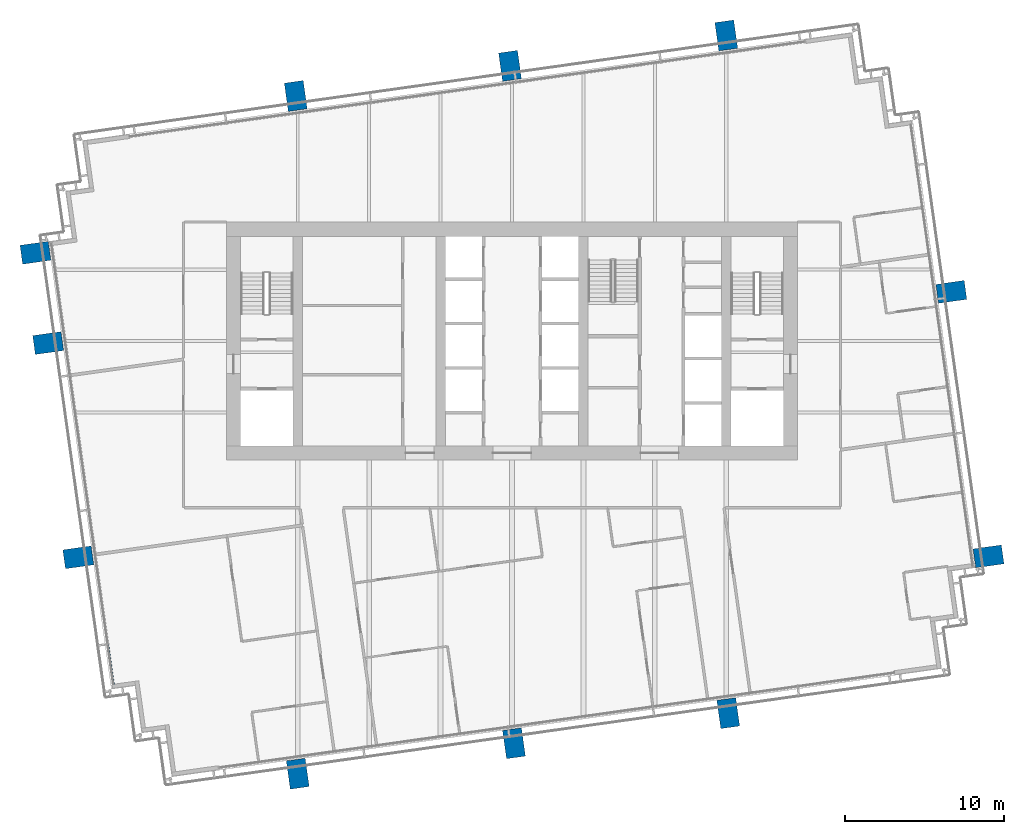
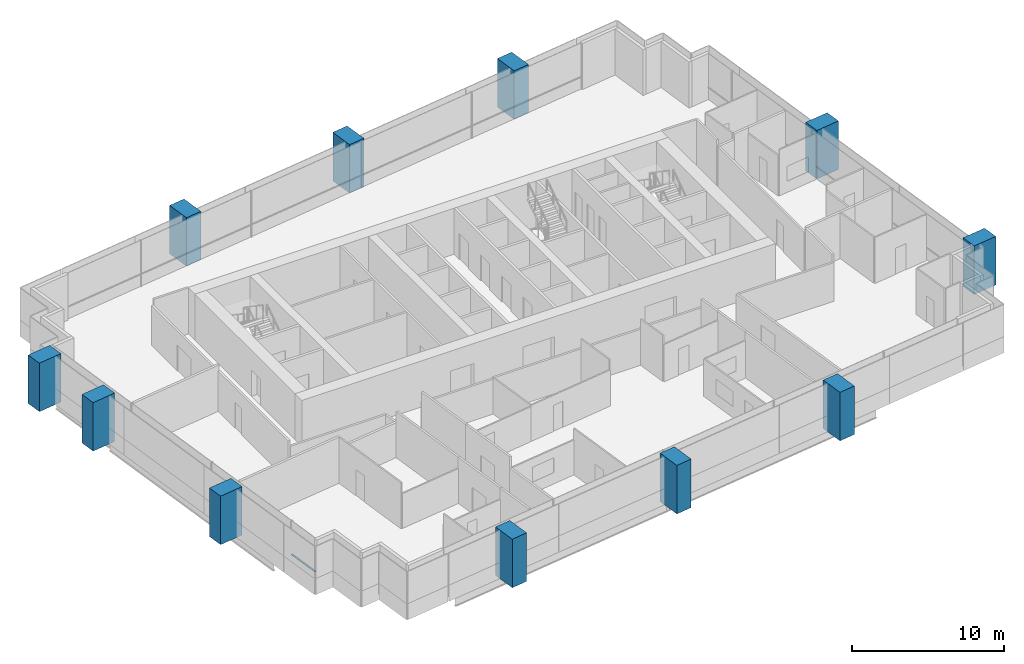
# One storey, part 1 of 18: 11 columns, 1 member, 1 element without a shape of its own.
"""IFC4 building model written with IfcOpenShell, lengths in metres."""

from ifc_helpers import new_model, si_unit, direction, frame, origin, origin_2d, place, context, subcontext, project, spatial, rectangle, extrude, material, material_profile, profile_set, type_object, element, aggregate, save


model = new_model("IFC4")

# Units and contexts
model_context = context("Model", 3, precision=1e-05, world=origin(), true_north=direction((0.0, 1.0)))
body_context = subcontext(model_context, "Body", "Model", "MODEL_VIEW")
ifc_project = project(units=[si_unit("LENGTHUNIT", "METRE"), si_unit("AREAUNIT", "SQUARE_METRE"), si_unit("VOLUMEUNIT", "CUBIC_METRE"), si_unit("PLANEANGLEUNIT", "RADIAN"), si_unit("MASSUNIT", "GRAM", prefix="KILO")], contexts=[model_context])

# Site, building, storey
site_placement = place(None, origin())
site = spatial("IfcSite", under=ifc_project, at=site_placement, CompositionType="ELEMENT")
building_placement = place(site_placement, origin())
building = spatial("IfcBuilding", under=site, at=building_placement, Name="Rattan Terrace Tower", CompositionType="ELEMENT")
storey_placement = place(building_placement, frame((0.0, 0.0, 188.0)))
storey = spatial("IfcBuildingStorey", under=building, at=storey_placement, Name="L43", CompositionType="ELEMENT", Elevation=188.0)

# Columns
ifc_material_1 = material(Name="Concrete C50/60", Category="concrete")
ifc_material_profile_1 = material_profile(ifc_material_1, rectangle(XDim=1.199951171875, YDim=1.800048828125, at=origin_2d()), Name="CFT 1800x1200")
ifc_profile_set_1 = profile_set([ifc_material_profile_1], Name="Concrete C50/60")
column_type = type_object("IfcColumnType", Name="Frame exoskeleton column CFT 1800x1200", PredefinedType="COLUMN", material=ifc_profile_set_1)
for number, where, z_axis, x_axis, name in (
    (1, (-13.5, -27.256103515625, -0.199951171875), (0.0, 0.0, 1.0), (0.99027049762, 0.139155817501, 0.0), "exo-L43-001"),
    (2, (0.125, -25.340087890625, -0.199951171875), (0.0, 0.0, 1.0), (0.99027049762, 0.139155817501, 0.0), "exo-L43-002"),
    (3, (13.625, -23.443115234375, -0.199951171875), (0.0, 0.0, 1.0), (0.99027049762, 0.139155817501, 0.0), "exo-L43-003"),
    (4, (-27.325927734375, -13.625, -0.199951171875), (0.0, 0.0, 1.0), (-0.139190384377, 0.990265639562, 0.0), "exo-L43-004"),
    (5, (30.02392578125, -13.56494140625, -0.199951171875), (0.0, 0.0, 1.0), (-0.139190384377, 0.990265639562, 0.0), "exo-L43-005"),
    (6, (-29.22412109375, -0.125, -0.199951171875), (0.0, 0.0, 1.0), (-0.139190384377, 0.990265639562, 0.0), "exo-L43-006"),
    (7, (27.680908203125, 3.10009765625, -0.199951171875), (0.0, 0.0, 1.0), (-0.139190384377, 0.990265639562, 0.0), "exo-L43-007"),
    (8, (-30.02392578125, 5.56494140625, -0.199951171875), (0.0, 0.0, 1.0), (-0.139190384377, 0.990265639562, 0.0), "exo-L43-008"),
    (9, (-13.625, 15.443115234375, -0.199951171875), (0.0, 0.0, 1.0), (0.99027049762, 0.139155817501, 0.0), "exo-L43-009"),
    (10, (-0.125, 17.340087890625, -0.199951171875), (0.0, 0.0, 1.0), (0.99027049762, 0.139155817501, 0.0), "exo-L43-010"),
    (11, (13.5, 19.256103515625, -0.199951171875), (0.0, 0.0, 1.0), (0.99027049762, 0.139155817501, 0.0), "exo-L43-011"),
):
    element("IfcColumn", number, at=place(storey_placement, frame(where, z_axis=z_axis, x_axis=x_axis)), inside=storey, type_object=column_type, Name=name, PredefinedType="COLUMN", context=body_context, shape_type="SweptSolid", body=[
        extrude(rectangle(XDim=1.199951171875, YDim=1.800048828125, at=origin_2d()), origin(), (0.0, 0.0, 1.0), 3.89990234375),
    ])

# Curtain wall, member
ifc_material_2 = material(Name="Aluminium and glass", Category="aluminium")
curtain_wall_type = type_object("IfcCurtainWallType", Name="Facade Unitised Curtain Wall", PredefinedType="NOTDEFINED", material=ifc_material_2)
curtain_wall_placement = place(storey_placement, origin())
curtain_wall = element("IfcCurtainWall", 12, at=curtain_wall_placement, inside=storey, type_object=curtain_wall_type, Name="Curtain wall L43-3", PredefinedType="NOTDEFINED")
ifc_material_3 = material(Name="Aluminium", Category="aluminium")
ifc_material_profile_2 = material_profile(ifc_material_3, rectangle(XDim=0.1201171875, YDim=0.06005859375, at=origin_2d()), Name="Aluminium 120x60")
ifc_profile_set_2 = profile_set([ifc_material_profile_2], Name="Aluminium")
member_type = type_object("IfcMemberType", Name="Facade CW Transom 120x60", PredefinedType="USERDEFINED", material=ifc_profile_set_2)
member_placement = place(storey_placement, frame((-25.47314453125, -19.122314453125, 1.0), z_axis=(0.139106713562, -0.990277396613, 0.0), x_axis=(0.990277396613, 0.139106713562, 0.0)))
member = element("IfcMember", 13, at=member_placement, type_object=member_type, Name="Transom cwl-L43-003.4", ObjectType="TRANSOM", PredefinedType="USERDEFINED", context=body_context, shape_type="SweptSolid", body=[
    extrude(rectangle(XDim=0.1201171875, YDim=0.06005859375, at=origin_2d()), origin(), (0.0, 0.0, 1.0), 2.525634765625),
])
aggregate(curtain_wall, [member])

save(model, "model.ifc")
